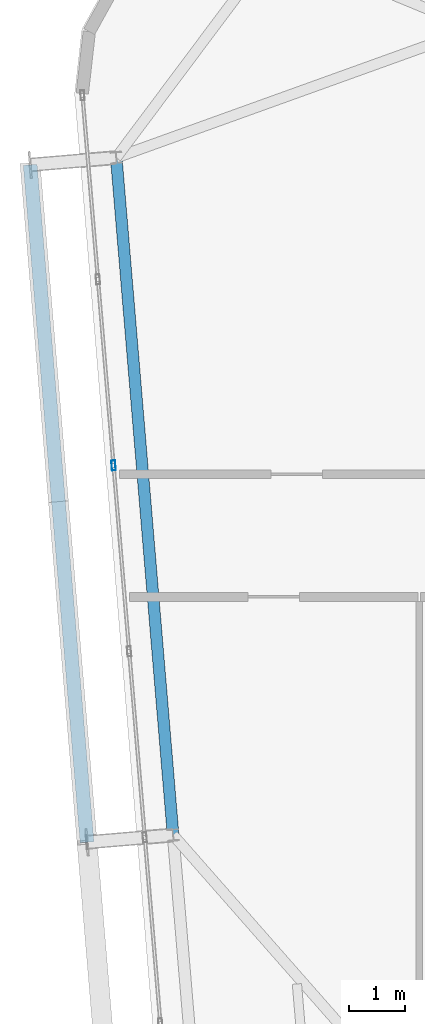
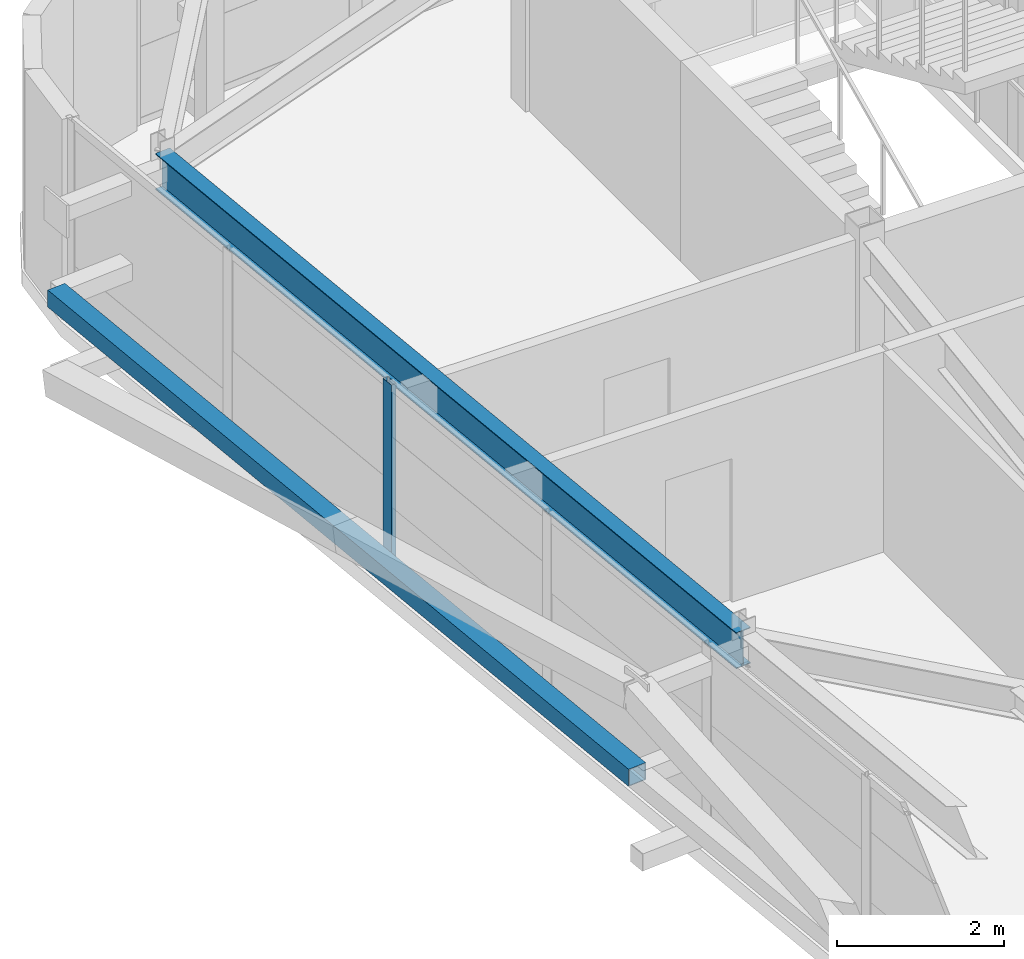
# One storey, part 15 of 44: 2 members, 1 beam, 1 element without a shape of its own.
"""IFC4 building model written with IfcOpenShell, lengths in metres."""

import ifcopenshell
import ifcopenshell.guid

model = None  # the IFC model being written
_history = None  # IfcOwnerHistory: only IFC2X3 demands one
_inside = {}  # id of a spatial element -> (the spatial element, [elements in it])
_under = {}  # id of a project, library or spatial element -> (it, [spatial elements below it])
_declared = {}  # id of a project -> (the project, [libraries it declares])
_typed = {}  # id of a type object -> (the type object, [elements of that type])
_made_of = {}  # id of a material, layer set ... -> (it, [elements and type objects made of it])


def new_model(schema):
    """Start an empty IFC model of exactly this schema.

    Asked for "IFC4X3", IfcOpenShell would pick the latest addendum, in which some entities
    have other attributes; the version numbers below select the first issue.
    IFC2X3 requires an IfcOwnerHistory on every rooted entity: one is made here for all.
    """
    global model, _history
    if schema == "IFC4X3":
        model = ifcopenshell.file(schema_version=(4, 3, 0, 0))
    else:
        model = ifcopenshell.file(schema=schema)
    _inside.clear()
    _under.clear()
    _declared.clear()
    _typed.clear()
    _made_of.clear()
    _history = None
    if model.schema == "IFC2X3":
        org = make("IfcOrganization", Name="unknown")
        user = make(
            "IfcPersonAndOrganization",
            ThePerson=make("IfcPerson", FamilyName="unknown"),
            TheOrganization=org,
        )
        app = make(
            "IfcApplication",
            ApplicationDeveloper=org,
            Version="unknown",
            ApplicationFullName="unknown",
            ApplicationIdentifier="unknown",
        )
        _history = make(
            "IfcOwnerHistory",
            OwningUser=user,
            OwningApplication=app,
            ChangeAction="ADDED",
            CreationDate=0,
        )
    return model


def make(cls, **values):
    """One entity of the class cls with the attributes given. An attribute that is None is left unset."""
    return model.create_entity(
        cls, **{name: value for name, value in values.items() if value is not None}
    )


def rooted(cls, **values):
    """An entity with a GlobalId (a new one), such as an element, a storey or a relation."""
    return make(cls, GlobalId=ifcopenshell.guid.new(), OwnerHistory=_history, **values)


def si_unit(unit_type, name, prefix=None):
    """IfcSIUnit, for example si_unit("LENGTHUNIT", "METRE", prefix="MILLI")."""
    return make("IfcSIUnit", UnitType=unit_type, Prefix=prefix, Name=name)


def assignment(units):
    """IfcUnitAssignment: the units of a project."""
    return None if units is None else make("IfcUnitAssignment", Units=units)


def point(xyz):
    """IfcCartesianPoint."""
    return None if xyz is None else make("IfcCartesianPoint", Coordinates=xyz)


def direction(xyz):
    """IfcDirection."""
    return None if xyz is None else make("IfcDirection", DirectionRatios=xyz)


def frame(location, z_axis=None, x_axis=None):
    """IfcAxis2Placement3D, a coordinate frame: its origin and axes. An axis left out is left unset."""
    return make(
        "IfcAxis2Placement3D",
        Location=point(location),
        Axis=direction(z_axis),
        RefDirection=direction(x_axis),
    )


def frame_2d(location, x_axis=None):
    """IfcAxis2Placement2D, a coordinate frame in the plane: its origin and x axis."""
    return make(
        "IfcAxis2Placement2D", Location=point(location), RefDirection=direction(x_axis)
    )


def origin():
    """The frame at (0, 0, 0) with its axes left unset."""
    return frame((0.0, 0.0, 0.0))


def origin_2d():
    """The frame at (0, 0) in the plane with its x axis left unset."""
    return frame_2d((0.0, 0.0))


def place(relative_to, where):
    """IfcLocalPlacement: puts the frame where relative to a parent placement (None: the world)."""
    return make(
        "IfcLocalPlacement", PlacementRelTo=relative_to, RelativePlacement=where
    )


def context(
    kind, dimensions, precision=None, world=None, true_north=None, identifier=None
):
    """IfcGeometricRepresentationContext, for example the 3D "Model" context."""
    return make(
        "IfcGeometricRepresentationContext",
        ContextIdentifier=identifier,
        ContextType=kind,
        CoordinateSpaceDimension=dimensions,
        Precision=precision,
        WorldCoordinateSystem=world,
        TrueNorth=true_north,
    )


def subcontext(parent, identifier, kind, view, scale=None):
    """IfcGeometricRepresentationSubContext, for example "Body" below "Model"."""
    return make(
        "IfcGeometricRepresentationSubContext",
        ContextIdentifier=identifier,
        ContextType=kind,
        ParentContext=parent,
        TargetScale=scale,
        TargetView=view,
    )


def project(units=None, contexts=None):
    """IfcProject with its units and contexts."""
    return rooted(
        "IfcProject",
        Name="project",
        RepresentationContexts=contexts,
        UnitsInContext=assignment(units),
    )


def spatial(cls, under=None, at=None, **own):
    """A site, building, storey or space (cls), placed at a placement, below another one or the project."""
    s = rooted(cls, ObjectPlacement=at, **own)
    if under is not None:
        _under.setdefault(under.id(), (under, []))[1].append(s)
    return s


def profile(cls, at=None, kind="AREA", **sizes):
    """A parametric profile (cls). Its sizes go by their IFC names, for example OverallWidth=200.0."""
    return make(cls, ProfileType=kind, Position=at, **sizes)


def hollow_rectangle(**sizes):
    """IfcRectangleHollowProfileDef."""
    return profile("IfcRectangleHollowProfileDef", **sizes)


def i_section(**sizes):
    """IfcIShapeProfileDef."""
    return profile("IfcIShapeProfileDef", **sizes)


def extrude(swept, where, along, depth):
    """IfcExtrudedAreaSolid: the profile swept, set in the frame where, extruded along a direction by depth."""
    return make(
        "IfcExtrudedAreaSolid",
        SweptArea=swept,
        Position=where,
        ExtrudedDirection=direction(along),
        Depth=depth,
    )


def shape(context_of_items, identifier, shape_type, items):
    """IfcShapeRepresentation: the items that make up one representation, for example the "Body"."""
    return make(
        "IfcShapeRepresentation",
        ContextOfItems=context_of_items,
        RepresentationIdentifier=identifier,
        RepresentationType=shape_type,
        Items=items,
    )


def source(mapping_origin, context_of_items, identifier, shape_type, items):
    """IfcRepresentationMap: a shape defined once, which mapped items show again and again."""
    return make(
        "IfcRepresentationMap",
        MappingOrigin=mapping_origin,
        MappedRepresentation=shape(context_of_items, identifier, shape_type, items),
    )


def transform(
    local_origin,
    x_axis=None,
    y_axis=None,
    z_axis=None,
    scale=None,
    scale2=None,
    scale3=None,
    uniform=True,
):
    """IfcCartesianTransformationOperator3D, or its non-uniform kind. x_axis, y_axis, z_axis: its Axis1, 2, 3."""
    if uniform:
        return make(
            "IfcCartesianTransformationOperator3D",
            Axis1=direction(x_axis),
            Axis2=direction(y_axis),
            LocalOrigin=point(local_origin),
            Scale=scale,
            Axis3=direction(z_axis),
        )
    return make(
        "IfcCartesianTransformationOperator3DnonUniform",
        Axis1=direction(x_axis),
        Axis2=direction(y_axis),
        LocalOrigin=point(local_origin),
        Scale=scale,
        Axis3=direction(z_axis),
        Scale2=scale2,
        Scale3=scale3,
    )


def mapped(mapping_source, mapping_target):
    """IfcMappedItem: shows the shape of a source again, moved by a transform."""
    return make(
        "IfcMappedItem", MappingSource=mapping_source, MappingTarget=mapping_target
    )


def material(Name=None, Category=None):
    """IfcMaterial."""
    return make("IfcMaterial", Name=Name, Category=Category)


def layer(
    of_material, thickness, ventilated=None, Name=None, Category=None, Priority=None
):
    """IfcMaterialLayer: one layer of a wall or slab, of a material (None: an air gap)."""
    return make(
        "IfcMaterialLayer",
        Material=of_material,
        LayerThickness=thickness,
        IsVentilated=ventilated,
        Name=Name,
        Category=Category,
        Priority=Priority,
    )


def layer_set(layers, Name=None):
    """IfcMaterialLayerSet."""
    return make("IfcMaterialLayerSet", MaterialLayers=layers, LayerSetName=Name)


def material_profile(
    of_material, cross_section, Name=None, Category=None, Priority=None
):
    """IfcMaterialProfile: a cross section and its material."""
    return make(
        "IfcMaterialProfile",
        Name=Name,
        Material=of_material,
        Profile=cross_section,
        Priority=Priority,
        Category=Category,
    )


def profile_set(profiles, Name=None, composite=None):
    """IfcMaterialProfileSet."""
    return make(
        "IfcMaterialProfileSet",
        Name=Name,
        MaterialProfiles=profiles,
        CompositeProfile=composite,
    )


def made_of(thing, what):
    """Note that an element or type object is made of a material, layer set ...; save() writes the relation."""
    if what is not None:
        _made_of.setdefault(what.id(), (what, []))[1].append(thing)
    return thing


def type_object(cls, material=None, **own):
    """A type object (cls), such as IfcWallType, which elements share."""
    return made_of(rooted(cls, **own), material)


def element(
    cls,
    number,
    at=None,
    inside=None,
    cuts=None,
    type_object=None,
    material=None,
    context=None,
    identifier="Body",
    shape_type=None,
    held_by="IfcProductDefinitionShape",
    body=None,
    shapes=None,
    **own,
):
    """One element of the class cls, such as IfcWall. Its Tag is "e" and its number.

    at: its placement. inside: the storey or other place that contains it. cuts: it is an
    opening in that element (IfcRelVoidsElement). A single representation is given by context,
    identifier, shape_type and body (its items); several are given by shapes. held_by: the class
    of the entity that holds the representations. save() writes the other relations.
    """
    e = rooted(cls, Tag="e%d" % number, ObjectPlacement=at, **own)
    if body is not None:
        shapes = [shape(context, identifier, shape_type, body)]
    if shapes is not None:
        e.Representation = make(held_by, Representations=shapes)
    if inside is not None:
        _inside.setdefault(inside.id(), (inside, []))[1].append(e)
    if cuts is not None:
        rooted(
            "IfcRelVoidsElement", RelatingBuildingElement=cuts, RelatedOpeningElement=e
        )
    if type_object is not None:
        _typed.setdefault(type_object.id(), (type_object, []))[1].append(e)
    return made_of(e, material)


def aggregate(whole, parts):
    """IfcRelAggregates: a whole, such as a stair, and the parts it consists of."""
    return rooted("IfcRelAggregates", RelatingObject=whole, RelatedObjects=parts)


def save(model, path):
    """Write the relations noted so far, then the file.

    IfcRelAggregates (storeys below a building ...), IfcRelContainedInSpatialStructure (elements
    in a storey), IfcRelDefinesByType, IfcRelAssociatesMaterial and IfcRelDeclares: one each for
    every whole, place, type object, material and project.
    """
    for whole, parts in _under.values():
        aggregate(whole, parts)
    for where, things in _inside.values():
        rooted(
            "IfcRelContainedInSpatialStructure",
            RelatedElements=things,
            RelatingStructure=where,
        )
    for kind, things in _typed.values():
        rooted("IfcRelDefinesByType", RelatedObjects=things, RelatingType=kind)
    for what, things in _made_of.values():
        rooted("IfcRelAssociatesMaterial", RelatedObjects=things, RelatingMaterial=what)
    for by, libraries in _declared.values():
        rooted("IfcRelDeclares", RelatingContext=by, RelatedDefinitions=libraries)
    model.write(path)


model = new_model("IFC4")

# Units and contexts
model_context = context("Model", 3, precision=1e-05, world=origin(), true_north=direction((0.0, 1.0)))
body_context = subcontext(model_context, "Body", "Model", "MODEL_VIEW")
ifc_project = project(units=[si_unit("LENGTHUNIT", "METRE"), si_unit("AREAUNIT", "SQUARE_METRE"), si_unit("VOLUMEUNIT", "CUBIC_METRE"), si_unit("PLANEANGLEUNIT", "RADIAN"), si_unit("MASSUNIT", "GRAM", prefix="KILO")], contexts=[model_context])

# Site, building, storey
site_placement = place(None, origin())
site = spatial("IfcSite", under=ifc_project, at=site_placement, CompositionType="ELEMENT")
building_placement = place(site_placement, origin())
building = spatial("IfcBuilding", under=site, at=building_placement, Name="Taldren Reach Tower", CompositionType="ELEMENT")
storey_placement = place(building_placement, frame((0.0, 0.0, 191.449951171875)))
storey = spatial("IfcBuildingStorey", under=building, at=storey_placement, Name="L58", CompositionType="ELEMENT", Elevation=191.449951171875)

# Beam
ifc_material_1 = material(Name="Steel Gr 350 (350PLUS)", Category="steel")
ifc_material_profile_1 = material_profile(ifc_material_1, i_section(OverallWidth=0.208984375, OverallDepth=0.528076171875, WebThickness=0.009521484375, FlangeThickness=0.01318359375, at=origin_2d()), Name="530UB82.0")
ifc_profile_set_1 = profile_set([ifc_material_profile_1], Name="Steel Gr 350 (350PLUS)")
beam_type = type_object("IfcBeamType", Name="SP-UB530B", PredefinedType="SPANDREL", material=ifc_profile_set_1)
shared_shape_1 = source(origin(), body_context, "Body", "SweptSolid", [
    extrude(i_section(OverallWidth=0.208984375, OverallDepth=0.528076171875, WebThickness=0.009521484375, FlangeThickness=0.01318359375, at=origin_2d()), origin(), (0.0, 0.0, 1.0), 12.199951171875),
])
beam_placement = place(storey_placement, frame((12.56201171875, 29.682373046875, 2.666015625), z_axis=(0.083668166953, -0.99649367175, 0.0), x_axis=(0.99649367175, 0.083668166953, 0.0)))
element("IfcBeam", 1, at=beam_placement, inside=storey, type_object=beam_type, Name="Perimeter spandrel B4 W3-W2 L58", PredefinedType="SPANDREL", context=body_context, shape_type="MappedRepresentation", body=[
    mapped(shared_shape_1, transform((0.0, 0.0, 0.0), scale=1.0)),
])

# Member
ifc_material_2 = material(Name="Steel Gr 350 (C350L0)", Category="steel")
ifc_material_profile_2 = material_profile(ifc_material_2, hollow_rectangle(XDim=0.25, YDim=0.25, WallThickness=0.010009765625, at=origin_2d()), Name="250x250x10.0SHS")
ifc_profile_set_2 = profile_set([ifc_material_profile_2], Name="Steel Gr 350 (C350L0)")
member_type_1 = type_object("IfcMemberType", Name="MB-POST250", PredefinedType="POST", material=ifc_profile_set_2)
shared_shape_2 = source(origin(), body_context, "Body", "SweptSolid", [
    extrude(hollow_rectangle(XDim=0.25, YDim=0.25, WallThickness=0.010009765625, at=origin_2d()), origin(), (0.0, 0.0, 1.0), 12.199951171875),
])
member_1_placement = place(storey_placement, frame((12.0380859375, 17.3955078125, 1.43505859375), z_axis=(-0.083668166953, 0.99649367175, 0.0), x_axis=(-0.99649367175, -0.083668166953, 0.0)))
element("IfcMember", 2, at=member_1_placement, inside=storey, type_object=member_type_1, Name="Exoskeleton mid-height ring chord B4-W2 L58", PredefinedType="POST", context=body_context, shape_type="MappedRepresentation", body=[
    mapped(shared_shape_2, transform((0.0, 0.0, 0.0), scale=1.0)),
])

# Curtain wall, member
ifc_material_3 = material(Name="Aluminium and Low-E Glass Unitised System", Category="aluminium")
ifc_layer = layer(ifc_material_3, 0.159912109375)
ifc_layer_set = layer_set([ifc_layer], Name="Aluminium and Low-E Glass Unitised System")
curtain_wall_type = type_object("IfcCurtainWallType", Name="CW-SYS-5", PredefinedType="NOTDEFINED", material=ifc_layer_set)
curtain_wall_placement = place(storey_placement, origin())
curtain_wall = element("IfcCurtainWall", 3, at=curtain_wall_placement, inside=storey, type_object=curtain_wall_type, Name="Unitised curtain wall CW-L58-W", PredefinedType="NOTDEFINED")
ifc_material_4 = material(Name="Anodised Aluminium 6063-T6", Category="aluminium")
ifc_material_profile_3 = material_profile(ifc_material_4, hollow_rectangle(XDim=0.070068359375, YDim=0.179931640625, WallThickness=0.00390625, at=origin_2d()), Name="ALU-180x70x4RHS")
ifc_profile_set_3 = profile_set([ifc_material_profile_3], Name="Anodised Aluminium 6063-T6")
member_type_2 = type_object("IfcMemberType", Name="CW-MUL-180", PredefinedType="MULLION", material=ifc_profile_set_3)
shared_shape_3 = source(origin(), body_context, "Body", "SweptSolid", [
    extrude(hollow_rectangle(XDim=0.070068359375, YDim=0.179931640625, WallThickness=0.00390625, at=origin_2d()), origin(), (0.0, 0.0, 1.0), 2.929931640625),
])
member_2_placement = place(storey_placement, frame((12.513916015625, 24.158935546875, 0.0), z_axis=(0.0, 0.0, 1.0), x_axis=(0.996492847789, 0.083677979808, 0.0)))
member_2 = element("IfcMember", 4, at=member_2_placement, type_object=member_type_2, Name="CW-5 mullion 3", PredefinedType="MULLION", context=body_context, shape_type="MappedRepresentation", body=[
    mapped(shared_shape_3, transform((0.0, 0.0, 0.0), scale=1.0)),
])
aggregate(curtain_wall, [member_2])

save(model, "model.ifc")
